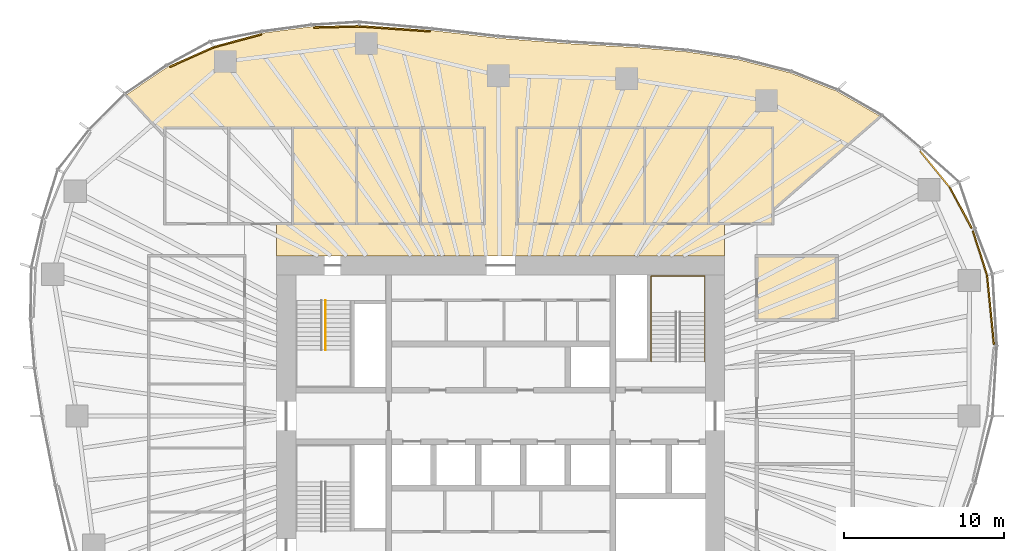
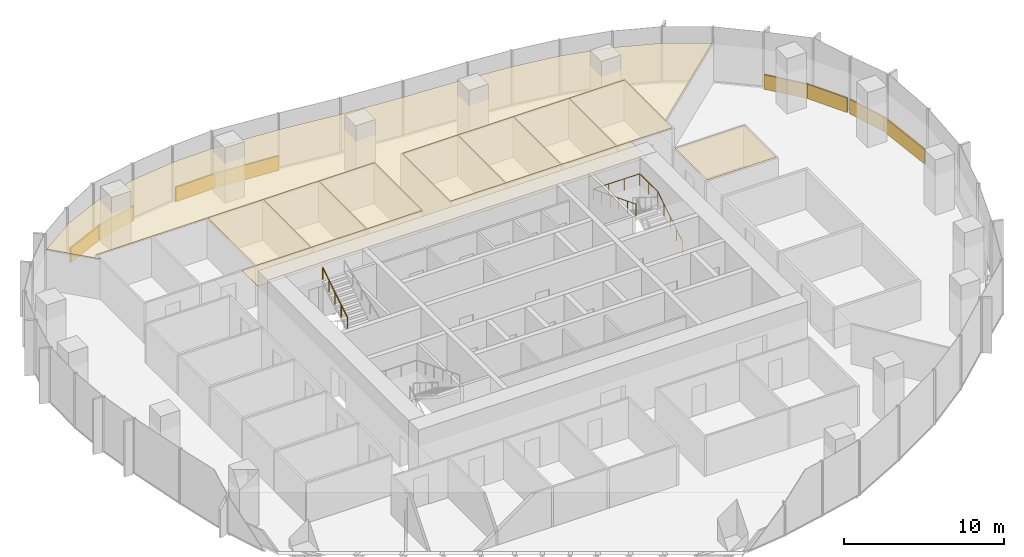
# One storey, part 18 of 18: 17 coverings, 2 railings.
"""IFC4 building model written with IfcOpenShell, lengths in metres."""

from ifc_helpers import new_model, si_unit, direction, frame, origin, origin_2d, place, context, subcontext, project, spatial, polyline, rectangle, circle, outline, extrude, material, layer, layer_set, type_object, element, save


model = new_model("IFC4")

# Units and contexts
model_context = context("Model", 3, precision=1e-05, world=origin(), true_north=direction((0.0, 1.0)))
body_context = subcontext(model_context, "Body", "Model", "MODEL_VIEW")
ifc_project = project(units=[si_unit("LENGTHUNIT", "METRE"), si_unit("AREAUNIT", "SQUARE_METRE"), si_unit("VOLUMEUNIT", "CUBIC_METRE"), si_unit("PLANEANGLEUNIT", "RADIAN"), si_unit("MASSUNIT", "GRAM", prefix="KILO")], contexts=[model_context])

# Site, building, storey
site_placement = place(None, origin())
site = spatial("IfcSite", under=ifc_project, at=site_placement, CompositionType="ELEMENT")
building_placement = place(site_placement, origin())
building = spatial("IfcBuilding", under=site, at=building_placement, Name="Ghaith Harvest Tower", CompositionType="ELEMENT")
storey_placement = place(building_placement, frame((0.0, 0.0, 172.199951171875)))
storey = spatial("IfcBuildingStorey", under=building, at=storey_placement, Name="L37", CompositionType="ELEMENT", Elevation=172.199951171875)

# Coverings
ifc_material_1 = material(Name="Mineral fibre ceiling tile", Category="gypsum")
ifc_layer_1 = layer(ifc_material_1, 0.02001953125)
ifc_layer_set_1 = layer_set([ifc_layer_1], Name="CEILING C1")
covering_type_1 = type_object("IfcCoveringType", Name="CEILING C1", PredefinedType="CEILING", material=ifc_layer_set_1)
covering_1_placement = place(storey_placement, frame((0.0, 0.0, 3.0)))
element("IfcCovering", 1, at=covering_1_placement, inside=storey, type_object=covering_type_1, Name="Ceiling L37-03", PredefinedType="CEILING", context=body_context, shape_type="SweptSolid", body=[
    extrude(outline(polyline([(-13.0, 12.0), (-9.0, 12.0), (-9.0, 18.0), (-13.0, 18.0), (-13.0, 12.0)])), origin(), (0.0, 0.0, 1.0), 0.02001953125),
])
covering_2_placement = place(storey_placement, frame((0.0, 0.0, 3.0)))
element("IfcCovering", 2, at=covering_2_placement, inside=storey, type_object=covering_type_1, Name="Ceiling L37-04", PredefinedType="CEILING", context=body_context, shape_type="SweptSolid", body=[
    extrude(outline(polyline([(-9.0, 12.0), (-5.0, 12.0), (-5.0, 18.0), (-9.0, 18.0), (-9.0, 12.0)])), origin(), (0.0, 0.0, 1.0), 0.02001953125),
])
covering_3_placement = place(storey_placement, frame((0.0, 0.0, 3.0)))
element("IfcCovering", 3, at=covering_3_placement, inside=storey, type_object=covering_type_1, Name="Ceiling L37-05", PredefinedType="CEILING", context=body_context, shape_type="SweptSolid", body=[
    extrude(outline(polyline([(-5.0, 12.0), (-1.0, 12.0), (-1.0, 18.0), (-5.0, 18.0), (-5.0, 12.0)])), origin(), (0.0, 0.0, 1.0), 0.02001953125),
])
covering_4_placement = place(storey_placement, frame((0.0, 0.0, 3.0)))
element("IfcCovering", 4, at=covering_4_placement, inside=storey, type_object=covering_type_1, Name="Ceiling L37-06", PredefinedType="CEILING", context=body_context, shape_type="SweptSolid", body=[
    extrude(outline(polyline([(1.0, 12.0), (5.0, 12.0), (5.0, 18.0), (1.0, 18.0), (1.0, 12.0)])), origin(), (0.0, 0.0, 1.0), 0.02001953125),
])
covering_5_placement = place(storey_placement, frame((0.0, 0.0, 3.0)))
element("IfcCovering", 5, at=covering_5_placement, inside=storey, type_object=covering_type_1, Name="Ceiling L37-07", PredefinedType="CEILING", context=body_context, shape_type="SweptSolid", body=[
    extrude(outline(polyline([(5.0, 12.0), (9.0, 12.0), (9.0, 18.0), (5.0, 18.0), (5.0, 12.0)])), origin(), (0.0, 0.0, 1.0), 0.02001953125),
])
covering_6_placement = place(storey_placement, frame((0.0, 0.0, 3.0)))
element("IfcCovering", 6, at=covering_6_placement, inside=storey, type_object=covering_type_1, Name="Ceiling L37-08", PredefinedType="CEILING", context=body_context, shape_type="SweptSolid", body=[
    extrude(outline(polyline([(9.0, 12.0), (13.0, 12.0), (13.0, 18.0), (9.0, 18.0), (9.0, 12.0)])), origin(), (0.0, 0.0, 1.0), 0.02001953125),
])
covering_7_placement = place(storey_placement, frame((0.0, 0.0, 3.0)))
element("IfcCovering", 7, at=covering_7_placement, inside=storey, type_object=covering_type_1, Name="Ceiling L37-09", PredefinedType="CEILING", context=body_context, shape_type="SweptSolid", body=[
    extrude(outline(polyline([(13.0, 12.0), (17.0, 12.0), (17.0, 18.0), (13.0, 18.0), (13.0, 12.0)])), origin(), (0.0, 0.0, 1.0), 0.02001953125),
])
covering_8_placement = place(storey_placement, frame((0.0, 0.0, 3.0)))
element("IfcCovering", 8, at=covering_8_placement, inside=storey, type_object=covering_type_1, Name="Ceiling L37-23", PredefinedType="CEILING", context=body_context, shape_type="SweptSolid", body=[
    extrude(outline(polyline([(16.0, 6.0), (21.0, 6.0), (21.0, 10.0), (16.0, 10.0), (16.0, 6.0)])), origin(), (0.0, 0.0, 1.0), 0.02001953125),
])
covering_9_placement = place(storey_placement, frame((0.0, 0.0, 3.0)))
element("IfcCovering", 9, at=covering_9_placement, inside=storey, type_object=covering_type_1, Name="Ceiling L37-N1", PredefinedType="CEILING", context=body_context, shape_type="SweptSolid", body=[
    extrude(outline(polyline([(-20.79248046875, 21.82470703125), (-17.938232421875, 23.097412109375), (-14.860595703125, 23.927978515625), (-11.788818359375, 24.331787109375), (-8.814208984375, 24.404541015625), (-4.302001953125, 24.089111328125), (-0.16162109375, 23.609619140625), (4.125732421875, 23.272705078125), (8.604736328125, 23.017333984375), (11.617919921875, 22.757080078125), (14.79833984375, 22.27978515625), (18.0849609375, 21.4462890625), (20.97998046875, 20.3056640625), (23.7275390625, 18.718017578125), (17.0, 12.869384765625), (17.0, 18.0), (1.0, 18.0), (1.0, 12.0), (14.0, 12.0), (14.0, 10.0), (-14.0, 10.0), (-14.0, 12.0), (-1.0, 12.0), (-1.0, 18.0), (-21.0, 18.0), (-21.0, 17.447998046875), (-23.398193359375, 20.06103515625), (-20.79248046875, 21.82470703125)])), origin(), (0.0, 0.0, 1.0), 0.02001953125),
])

# Railings
ifc_material_2 = material(Name="Steel, black powder-coated", Category="steel")
railing_type = type_object("IfcRailingType", Name="HANDRAIL HR1", PredefinedType="HANDRAIL", material=ifc_material_2)
railing_1_placement = place(storey_placement, frame((-10.949951171875, 4.1201171875, 2.275146484375)))
element("IfcRailing", 10, at=railing_1_placement, inside=storey, type_object=railing_type, Name="Handrail HR1 stair ST1 L37 flight 2 inner", PredefinedType="HANDRAIL", context=body_context, shape_type="SweptSolid", body=[
    extrude(circle(Radius=0.02392578125, at=origin_2d()), frame((0.0, 0.0, 0.8759765625), z_axis=(0.0, 0.848009633417, 0.529980812513), x_axis=(-1.0, 0.0, 0.0)), (0.0, 0.0, 1.0), 3.6318359375),
    extrude(circle(Radius=0.02099609375, at=origin_2d()), origin(), (0.0, 0.0, 1.0), 0.851806640625),
    extrude(circle(Radius=0.02099609375, at=origin_2d()), frame((0.0, 0.77001953125, 0.481201171875)), (0.0, 0.0, 1.0), 0.851806640625),
    extrude(circle(Radius=0.02099609375, at=origin_2d()), frame((0.0, 1.5400390625, 0.96240234375)), (0.0, 0.0, 1.0), 0.851806640625),
    extrude(circle(Radius=0.02099609375, at=origin_2d()), frame((0.0, 2.309814453125, 1.443603515625)), (0.0, 0.0, 1.0), 0.851806640625),
    extrude(circle(Radius=0.02099609375, at=origin_2d()), frame((0.0, 3.079833984375, 1.9248046875)), (0.0, 0.0, 1.0), 0.851806640625),
])
railing_2_placement = place(storey_placement, frame((12.75, 3.39990234375, 0.175048828125)))
element("IfcRailing", 11, at=railing_2_placement, inside=storey, type_object=railing_type, Name="Handrail HR1 stair ST2 L37 wall side", PredefinedType="HANDRAIL", context=body_context, shape_type="SweptSolid", body=[
    extrude(circle(Radius=0.02392578125, at=origin_2d()), frame((0.0, 0.0, 0.8759765625), z_axis=(0.0, 0.847998304005, 0.529998940003), x_axis=(-1.0, 0.0, 0.0)), (0.0, 0.0, 1.0), 3.632080078125),
    extrude(circle(Radius=0.02392578125, at=origin_2d()), frame((0.0, 3.080078125, 2.80078125), z_axis=(0.0, 1.0, 0.0), x_axis=(-1.0, 0.0, 0.0)), (0.0, 0.0, 1.0), 2.27001953125),
    extrude(circle(Radius=0.02392578125, at=origin_2d()), frame((0.0, 5.35009765625, 2.80078125), z_axis=(-1.0, 0.0, 0.0), x_axis=(0.0, -1.0, 0.0)), (0.0, 0.0, 1.0), 3.35009765625),
    extrude(circle(Radius=0.02392578125, at=origin_2d()), frame((-3.35009765625, 5.35009765625, 2.80078125), z_axis=(0.0, -0.930868132128, 0.365355334692), x_axis=(1.0, 0.0, 0.0)), (0.0, 0.0, 1.0), 5.747314453125),
    extrude(circle(Radius=0.02099609375, at=origin_2d()), origin(), (0.0, 0.0, 1.0), 0.851806640625),
    extrude(circle(Radius=0.02099609375, at=origin_2d()), frame((0.0, 0.77001953125, 0.481201171875)), (0.0, 0.0, 1.0), 0.851806640625),
    extrude(circle(Radius=0.02099609375, at=origin_2d()), frame((0.0, 1.5400390625, 0.96240234375)), (0.0, 0.0, 1.0), 0.851806640625),
    extrude(circle(Radius=0.02099609375, at=origin_2d()), frame((0.0, 2.31005859375, 1.44384765625)), (0.0, 0.0, 1.0), 0.851806640625),
    extrude(circle(Radius=0.02099609375, at=origin_2d()), frame((0.0, 3.080078125, 1.925048828125)), (0.0, 0.0, 1.0), 0.851806640625),
    extrude(circle(Radius=0.02099609375, at=origin_2d()), frame((0.0, 4.215087890625, 1.925048828125)), (0.0, 0.0, 1.0), 0.851806640625),
    extrude(circle(Radius=0.02099609375, at=origin_2d()), frame((0.0, 5.35009765625, 1.925048828125)), (0.0, 0.0, 1.0), 0.851806640625),
    extrude(circle(Radius=0.02099609375, at=origin_2d()), frame((-1.11669921875, 5.35009765625, 1.925048828125)), (0.0, 0.0, 1.0), 0.851806640625),
    extrude(circle(Radius=0.02099609375, at=origin_2d()), frame((-2.2333984375, 5.35009765625, 1.925048828125)), (0.0, 0.0, 1.0), 0.851806640625),
    extrude(circle(Radius=0.02099609375, at=origin_2d()), frame((-3.35009765625, 5.35009765625, 1.925048828125)), (0.0, 0.0, 1.0), 0.851806640625),
    extrude(circle(Radius=0.02099609375, at=origin_2d()), frame((-3.35009765625, 4.280029296875, 2.344970703125)), (0.0, 0.0, 1.0), 0.851806640625),
    extrude(circle(Radius=0.02099609375, at=origin_2d()), frame((-3.35009765625, 3.2099609375, 2.764892578125)), (0.0, 0.0, 1.0), 0.851806640625),
    extrude(circle(Radius=0.02099609375, at=origin_2d()), frame((-3.35009765625, 2.14013671875, 3.18505859375)), (0.0, 0.0, 1.0), 0.851806640625),
    extrude(circle(Radius=0.02099609375, at=origin_2d()), frame((-3.35009765625, 1.070068359375, 3.60498046875)), (0.0, 0.0, 1.0), 0.851806640625),
    extrude(circle(Radius=0.02099609375, at=origin_2d()), frame((-3.35009765625, 0.0, 4.02490234375)), (0.0, 0.0, 1.0), 0.851806640625),
])

# Coverings
ifc_material_3 = material(Name="Insulated aluminium spandrel panel on steel framing", Category="steel")
ifc_layer_2 = layer(ifc_material_3, 0.10009765625)
ifc_layer_set_2 = layer_set([ifc_layer_2], Name="SLAB EDGE UPSTAND 1100x100")
covering_type_2 = type_object("IfcCoveringType", Name="SLAB EDGE UPSTAND 1100x100", PredefinedType="CLADDING", material=ifc_layer_set_2)
covering_10_placement = place(storey_placement, frame((30.604736328125, 6.630126953125, 0.0), z_axis=(0.0, 0.0, 1.0), x_axis=(-0.099131765681, 0.995074315332, 0.0)))
element("IfcCovering", 12, at=covering_10_placement, inside=storey, type_object=covering_type_2, Name="Slab edge upstand 2 bay 01 L37", PredefinedType="CLADDING", context=body_context, shape_type="SweptSolid", body=[
    extrude(rectangle(XDim=4.346435546875, YDim=0.10009765625, at=origin_2d()), origin(), (0.0, 0.0, 1.0), 1.10009765625),
])
covering_11_placement = place(storey_placement, frame((29.948486328125, 10.171875, 0.0), z_axis=(0.0, 0.0, 1.0), x_axis=(-0.303716894855, 0.952762324916, 0.0)))
element("IfcCovering", 13, at=covering_11_placement, inside=storey, type_object=covering_type_2, Name="Slab edge upstand 1 bay 02 L37", PredefinedType="CLADDING", context=body_context, shape_type="SweptSolid", body=[
    extrude(rectangle(XDim=2.916748046875, YDim=0.10009765625, at=origin_2d()), origin(), (0.0, 0.0, 1.0), 1.10009765625),
])
for number, where, z_axis, x_axis, name in (
    (14, (28.738037109375, 13.018798828125, 0.0), (0.0, 0.0, 1.0), (-0.475408661811, 0.87976508471, 0.0), "Slab edge upstand 2 bay 02 L37"),
    (15, (27.127197265625, 15.4228515625, 0.0), (0.0, 0.0, 1.0), (-0.632969558548, 0.774176683937, 0.0), "Slab edge upstand 3 bay 02 L37"),
):
    element("IfcCovering", number, at=place(storey_placement, frame(where, z_axis=z_axis, x_axis=x_axis)), inside=storey, type_object=covering_type_2, Name=name, PredefinedType="CLADDING", context=body_context, shape_type="SweptSolid", body=[
        extrude(rectangle(XDim=2.91650390625, YDim=0.10009765625, at=origin_2d()), origin(), (0.0, 0.0, 1.0), 1.10009765625),
    ])
covering_12_placement = place(storey_placement, frame((-6.611572265625, 24.200439453125, 0.0), z_axis=(0.0, 0.0, 1.0), x_axis=(-0.997566199698, 0.069725728542, 0.0)))
element("IfcCovering", 16, at=covering_12_placement, inside=storey, type_object=covering_type_2, Name="Slab edge upstand 2 bay 06 L37", PredefinedType="CLADDING", context=body_context, shape_type="SweptSolid", body=[
    extrude(rectangle(XDim=4.42333984375, YDim=0.10009765625, at=origin_2d()), origin(), (0.0, 0.0, 1.0), 1.10009765625),
])
covering_13_placement = place(storey_placement, frame((-10.25048828125, 24.3193359375, 0.0), z_axis=(0.0, 0.0, 1.0), x_axis=(-0.999700846757, -0.024458474865, 0.0)))
element("IfcCovering", 17, at=covering_13_placement, inside=storey, type_object=covering_type_2, Name="Slab edge upstand 1 bay 07 L37", PredefinedType="CLADDING", context=body_context, shape_type="SweptSolid", body=[
    extrude(rectangle(XDim=2.87548828125, YDim=0.10009765625, at=origin_2d()), origin(), (0.0, 0.0, 1.0), 1.10009765625),
])
covering_14_placement = place(storey_placement, frame((-16.4345703125, 23.451416015625, 0.0), z_axis=(0.0, 0.0, 1.0), x_axis=(-0.965455035926, -0.260569709685, 0.0)))
element("IfcCovering", 18, at=covering_14_placement, inside=storey, type_object=covering_type_2, Name="Slab edge upstand 3 bay 07 L37", PredefinedType="CLADDING", context=body_context, shape_type="SweptSolid", body=[
    extrude(rectangle(XDim=3.087890625, YDim=0.10009765625, at=origin_2d()), origin(), (0.0, 0.0, 1.0), 1.10009765625),
])
covering_15_placement = place(storey_placement, frame((-19.29931640625, 22.435791015625, 0.0), z_axis=(0.0, 0.0, 1.0), x_axis=(-0.913334621001, -0.40720986, 0.0)))
element("IfcCovering", 19, at=covering_15_placement, inside=storey, type_object=covering_type_2, Name="Slab edge upstand 1 bay 08 L37", PredefinedType="CLADDING", context=body_context, shape_type="SweptSolid", body=[
    extrude(rectangle(XDim=3.025146484375, YDim=0.10009765625, at=origin_2d()), origin(), (0.0, 0.0, 1.0), 1.10009765625),
])

save(model, "model.ifc")
